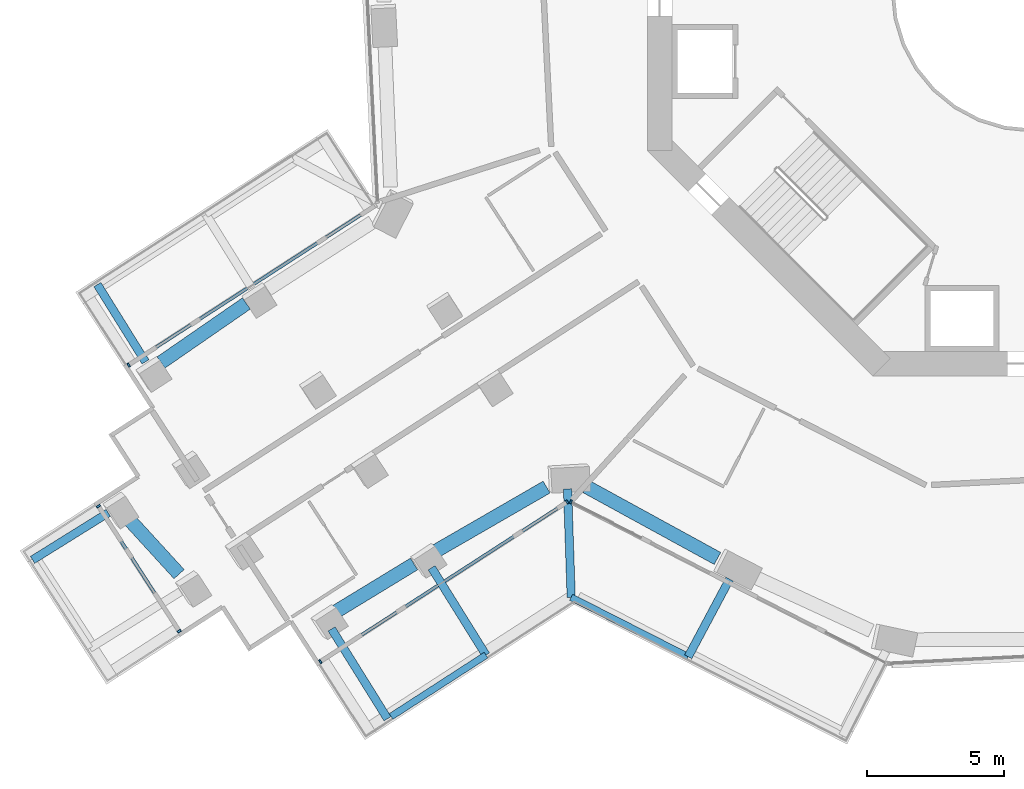
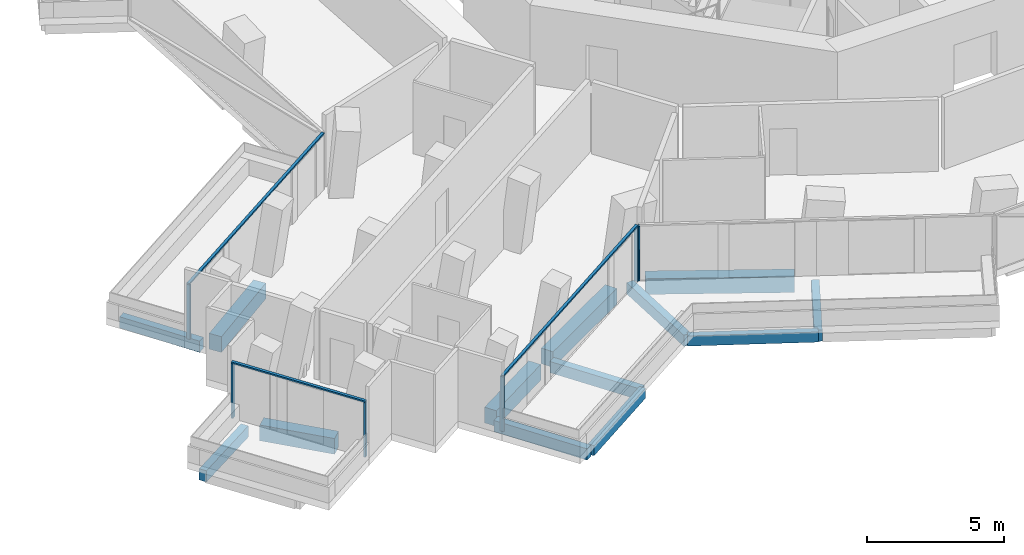
# One storey, part 2 of 25: 13 beams, 9 members, 4 elements without a shape of their own.
"""IFC4 building model written with IfcOpenShell, lengths in metres."""

from ifc_helpers import new_model, si_unit, direction, frame, origin, origin_2d, place, context, subcontext, project, spatial, rectangle, extrude, material, layer, layer_set, material_profile, profile_set, type_object, element, aggregate, save


model = new_model("IFC4")

# Units and contexts
model_context = context("Model", 3, precision=1e-05, world=origin(), true_north=direction((0.0, 1.0)))
body_context = subcontext(model_context, "Body", "Model", "MODEL_VIEW")
ifc_project = project(units=[si_unit("LENGTHUNIT", "METRE"), si_unit("AREAUNIT", "SQUARE_METRE"), si_unit("VOLUMEUNIT", "CUBIC_METRE"), si_unit("PLANEANGLEUNIT", "RADIAN"), si_unit("MASSUNIT", "GRAM", prefix="KILO")], contexts=[model_context])

# Site, building, storey
site_placement = place(None, origin())
site = spatial("IfcSite", under=ifc_project, at=site_placement, CompositionType="ELEMENT")
building_placement = place(site_placement, origin())
building = spatial("IfcBuilding", under=site, at=building_placement, Name="Verdalira Terraces Hotel", CompositionType="ELEMENT")
storey_placement = place(building_placement, frame((0.0, 0.0, 46.0)))
storey = spatial("IfcBuildingStorey", under=building, at=storey_placement, Name="L09", CompositionType="ELEMENT", Elevation=46.0)

# Beams
ifc_material_1 = material(Name="Concrete C40", Category="concrete")
ifc_material_profile_1 = material_profile(ifc_material_1, rectangle(XDim=0.300049, YDim=0.5, at=origin_2d()), Name="RC 300X500")
ifc_profile_set_1 = profile_set([ifc_material_profile_1], Name="Concrete C40")
beam_type_1 = type_object("IfcBeamType", Name="Balcony cantilever beam RC 300X500 C40", PredefinedType="BEAM", material=ifc_profile_set_1)
beam_1_placement = place(storey_placement, frame((-32.261963, -13.483154, -0.560059), z_axis=(-0.528745016, 0.848780718, 0.0), x_axis=(-0.848780718, -0.528745016, 0.0)))
element("IfcBeam", 1, at=beam_1_placement, inside=storey, type_object=beam_type_1, Name="Balcony cantilever beam R14-3", PredefinedType="BEAM", context=body_context, shape_type="SweptSolid", body=[
    extrude(rectangle(XDim=0.300049, YDim=0.5, at=origin_2d()), origin(), (0.0, 0.0, 1.0), 3.309326),
])
beam_2_placement = place(storey_placement, frame((-33.618408, -18.977295, -0.560059), z_axis=(-0.848758599, -0.528780522, 0.0), x_axis=(0.528780522, -0.848758599, 0.0)))
element("IfcBeam", 2, at=beam_2_placement, inside=storey, type_object=beam_type_1, Name="Balcony cantilever beam R19-1", PredefinedType="BEAM", context=body_context, shape_type="SweptSolid", body=[
    extrude(rectangle(XDim=0.300049, YDim=0.5, at=origin_2d()), origin(), (0.0, 0.0, 1.0), 3.243408),
])
beam_3_placement = place(storey_placement, frame((-16.9021, -18.106934, -0.560059), z_axis=(0.033500048, -0.999438716, 0.0), x_axis=(0.999438716, 0.033500048, 0.0)))
element("IfcBeam", 3, at=beam_3_placement, inside=storey, type_object=beam_type_1, Name="Balcony cantilever beam R24-1", PredefinedType="BEAM", context=body_context, shape_type="SweptSolid", body=[
    extrude(rectangle(XDim=0.300049, YDim=0.5, at=origin_2d()), origin(), (0.0, 0.0, 1.0), 3.949951),
])
beam_4_placement = place(storey_placement, frame((-11.004883, -21.393555, -0.560059), z_axis=(-0.470703042, -0.882291701, 0.0), x_axis=(0.882291701, -0.470703042, 0.0)))
element("IfcBeam", 4, at=beam_4_placement, inside=storey, type_object=beam_type_1, Name="Balcony cantilever beam R24-2", PredefinedType="BEAM", context=body_context, shape_type="SweptSolid", body=[
    extrude(rectangle(XDim=0.300049, YDim=0.5, at=origin_2d()), origin(), (0.0, 0.0, 1.0), 3.200684),
])
beam_5_placement = place(storey_placement, frame((-25.489502, -23.204102, -0.560059), z_axis=(0.528687735, -0.848816399, 0.0), x_axis=(0.848816399, 0.528687735, 0.0)))
element("IfcBeam", 5, at=beam_5_placement, inside=storey, type_object=beam_type_1, Name="Balcony cantilever beam R24-4", PredefinedType="BEAM", context=body_context, shape_type="SweptSolid", body=[
    extrude(rectangle(XDim=0.300049, YDim=0.5, at=origin_2d()), origin(), (0.0, 0.0, 1.0), 3.851318),
])
beam_6_placement = place(storey_placement, frame((-21.849854, -20.978027, -0.560059), z_axis=(0.528785357, -0.848755587, 0.0), x_axis=(0.848755587, 0.528785357, 0.0)))
element("IfcBeam", 6, at=beam_6_placement, inside=storey, type_object=beam_type_1, Name="Balcony cantilever beam R24-5", PredefinedType="BEAM", context=body_context, shape_type="SweptSolid", body=[
    extrude(rectangle(XDim=0.300049, YDim=0.5, at=origin_2d()), origin(), (0.0, 0.0, 1.0), 3.744873),
])
ifc_material_2 = material(Name="Concrete C40", Category="concrete")
ifc_material_profile_2 = material_profile(ifc_material_2, rectangle(XDim=0.25, YDim=0.449951, at=origin_2d()), Name="RC 250X450")
ifc_profile_set_2 = profile_set([ifc_material_profile_2], Name="Concrete C40")
beam_type_2 = type_object("IfcBeamType", Name="Balcony edge beam RC 250X450 C40", PredefinedType="BEAM", material=ifc_profile_set_2)
beam_7_placement = place(storey_placement, frame((-16.769775, -22.054688, -0.534912), z_axis=(0.891587713, -0.452848042, 0.0), x_axis=(0.452848042, 0.891587713, 0.0)))
element("IfcBeam", 7, at=beam_7_placement, inside=storey, type_object=beam_type_2, Name="Balcony edge beam R24-1", PredefinedType="BEAM", context=body_context, shape_type="SweptSolid", body=[
    extrude(rectangle(XDim=0.25, YDim=0.449951, at=origin_2d()), origin(), (0.0, 0.0, 1.0), 4.776123),
])
beam_8_placement = place(storey_placement, frame((-23.327393, -26.391602, -0.534912), z_axis=(0.839821428, 0.542862753, 0.0), x_axis=(-0.542862753, 0.839821428, 0.0)))
element("IfcBeam", 8, at=beam_8_placement, inside=storey, type_object=beam_type_2, Name="Balcony edge beam R24-3", PredefinedType="BEAM", context=body_context, shape_type="SweptSolid", body=[
    extrude(rectangle(XDim=0.25, YDim=0.449951, at=origin_2d()), origin(), (0.0, 0.0, 1.0), 4.117188),
])

# Curtain wall, member
ifc_material_3 = material(Name="Clear glass", Category="glass")
ifc_layer_1 = layer(ifc_material_3, 0.14990234375)
ifc_layer_set_1 = layer_set([ifc_layer_1], Name="CW1 curtain wall")
curtain_wall_type_1 = type_object("IfcCurtainWallType", Name="CW1 curtain wall", PredefinedType="NOTDEFINED", material=ifc_layer_set_1)
curtain_wall_1_placement = place(storey_placement, origin())
curtain_wall_1 = element("IfcCurtainWall", 9, at=curtain_wall_1_placement, inside=storey, type_object=curtain_wall_type_1, Name="CW1 curtain wall L09 edge 25", PredefinedType="NOTDEFINED")
ifc_material_4 = material(Name="Terracotta frame", Category="masonry")
ifc_material_profile_3 = material_profile(ifc_material_4, rectangle(XDim=0.060059, YDim=0.149902, at=origin_2d()), Name="MU 60x150")
ifc_profile_set_3 = profile_set([ifc_material_profile_3], Name="Terracotta frame")
member_type_1 = type_object("IfcMemberType", Name="CW1 mullion 60x150", PredefinedType="MULLION", material=ifc_profile_set_3)
member_1_placement = place(storey_placement, frame((-16.782715, -18.575195, 0.0), z_axis=(0.0, 0.0, 1.0), x_axis=(0.890053735, -0.455855622, 0.0)))
member_1 = element("IfcMember", 10, at=member_1_placement, type_object=member_type_1, Name="CW1 mullion", PredefinedType="MULLION", context=body_context, shape_type="SweptSolid", body=[
    extrude(rectangle(XDim=0.060059, YDim=0.149902, at=origin_2d()), origin(), (0.0, 0.0, 1.0), 2.425049),
])
aggregate(curtain_wall_1, [member_1])

ifc_material_5 = material(Name="Clear glass", Category="glass")
ifc_layer_2 = layer(ifc_material_5, 0.14990234375)
ifc_layer_set_2 = layer_set([ifc_layer_2], Name="CW2 curtain wall")
curtain_wall_type_2 = type_object("IfcCurtainWallType", Name="CW2 curtain wall", PredefinedType="NOTDEFINED", material=ifc_layer_set_2)
curtain_wall_2_placement = place(storey_placement, origin())
curtain_wall_2 = element("IfcCurtainWall", 11, at=curtain_wall_2_placement, inside=storey, type_object=curtain_wall_type_2, Name="CW2 curtain wall L09 edge 14", PredefinedType="NOTDEFINED")
ifc_material_6 = material(Name="Terracotta frame", Category="masonry")
ifc_material_profile_4 = material_profile(ifc_material_6, rectangle(XDim=0.070068, YDim=0.149902, at=origin_2d()), Name="MU 70x150")
ifc_profile_set_4 = profile_set([ifc_material_profile_4], Name="Terracotta frame")
member_type_2 = type_object("IfcMemberType", Name="CW2 mullion 70x150", PredefinedType="MULLION", material=ifc_profile_set_4)
member_2_placement = place(storey_placement, frame((-32.875977, -13.601562, 0.0), z_axis=(0.0, 0.0, 1.0), x_axis=(-0.839809417, -0.542881334, 0.0)))
member_2 = element("IfcMember", 12, at=member_2_placement, type_object=member_type_2, Name="CW2 mullion", PredefinedType="MULLION", context=body_context, shape_type="SweptSolid", body=[
    extrude(rectangle(XDim=0.070068, YDim=0.149902, at=origin_2d()), origin(), (0.0, 0.0, 1.0), 2.425049),
])

# Curtain wall, members
curtain_wall_3_placement = place(storey_placement, origin())
curtain_wall_3 = element("IfcCurtainWall", 13, at=curtain_wall_3_placement, inside=storey, type_object=curtain_wall_type_2, Name="CW2 curtain wall L09 edge 24", PredefinedType="NOTDEFINED")
member_3_placement = place(storey_placement, frame((-25.899902, -24.393066, 0.0), z_axis=(0.0, 0.0, 1.0), x_axis=(0.839809417, 0.542881334, 0.0)))
member_3 = element("IfcMember", 14, at=member_3_placement, type_object=member_type_2, Name="CW2 mullion", PredefinedType="MULLION", context=body_context, shape_type="SweptSolid", body=[
    extrude(rectangle(XDim=0.070068, YDim=0.149902, at=origin_2d()), origin(), (0.0, 0.0, 1.0), 2.425049),
])
member_4_placement = place(storey_placement, frame((-16.913818, -18.584229, 0.0), z_axis=(0.0, 0.0, 1.0), x_axis=(0.839809417, 0.542881334, 0.0)))
member_4 = element("IfcMember", 15, at=member_4_placement, type_object=member_type_2, Name="CW2 mullion", PredefinedType="MULLION", context=body_context, shape_type="SweptSolid", body=[
    extrude(rectangle(XDim=0.070068, YDim=0.149902, at=origin_2d()), origin(), (0.0, 0.0, 1.0), 2.425049),
])

# Member
ifc_material_7 = material(Name="Terracotta frame", Category="masonry")
ifc_material_profile_5 = material_profile(ifc_material_7, rectangle(XDim=0.11499, YDim=0.064941, at=origin_2d()), Name="TR 65x115")
ifc_profile_set_5 = profile_set([ifc_material_profile_5], Name="Terracotta frame")
member_type_3 = type_object("IfcMemberType", Name="CW2 transom 65x115", PredefinedType="USERDEFINED", material=ifc_profile_set_5)
member_5_placement = place(storey_placement, frame((-23.860352, -7.773682, 2.45752), z_axis=(-0.839810302, -0.542879965, 0.0), x_axis=(0.542879965, -0.839810302, 0.0)))
member_5 = element("IfcMember", 16, at=member_5_placement, type_object=member_type_3, Name="CW2 transom", ObjectType="TRANSOM", PredefinedType="USERDEFINED", context=body_context, shape_type="SweptSolid", body=[
    extrude(rectangle(XDim=0.11499, YDim=0.064941, at=origin_2d()), origin(), (0.0, 0.0, 1.0), 10.770264),
])

aggregate(curtain_wall_2, [member_2, member_5])

member_6_placement = place(storey_placement, frame((-25.929199, -24.412109, 2.45752), z_axis=(0.839810302, 0.542879965, 0.0), x_axis=(-0.542879965, 0.839810302, 0.0)))
member_6 = element("IfcMember", 17, at=member_6_placement, type_object=member_type_3, Name="CW2 transom", ObjectType="TRANSOM", PredefinedType="USERDEFINED", context=body_context, shape_type="SweptSolid", body=[
    extrude(rectangle(XDim=0.11499, YDim=0.064941, at=origin_2d()), origin(), (0.0, 0.0, 1.0), 10.770264),
])

aggregate(curtain_wall_3, [member_3, member_4, member_6])

# Curtain wall, members
ifc_material_8 = material(Name="Clear glass", Category="glass")
ifc_layer_3 = layer(ifc_material_8, 0.14990234375)
ifc_layer_set_3 = layer_set([ifc_layer_3], Name="CW3 curtain wall")
curtain_wall_type_3 = type_object("IfcCurtainWallType", Name="CW3 curtain wall", PredefinedType="NOTDEFINED", material=ifc_layer_set_3)
curtain_wall_4_placement = place(storey_placement, origin())
curtain_wall_4 = element("IfcCurtainWall", 18, at=curtain_wall_4_placement, inside=storey, type_object=curtain_wall_type_3, Name="CW3 curtain wall L09 edge 19", PredefinedType="NOTDEFINED")
ifc_material_9 = material(Name="Terracotta frame", Category="masonry")
ifc_material_profile_6 = material_profile(ifc_material_9, rectangle(XDim=0.080078, YDim=0.149902, at=origin_2d()), Name="MU 80x150")
ifc_profile_set_6 = profile_set([ifc_material_profile_6], Name="Terracotta frame")
member_type_4 = type_object("IfcMemberType", Name="CW3 mullion 80x150", PredefinedType="MULLION", material=ifc_profile_set_6)
member_7_placement = place(storey_placement, frame((-33.974854, -18.735596, 0.0), z_axis=(0.0, 0.0, 1.0), x_axis=(0.542881334, -0.839809417, 0.0)))
member_7 = element("IfcMember", 19, at=member_7_placement, type_object=member_type_4, Name="CW3 mullion", PredefinedType="MULLION", context=body_context, shape_type="SweptSolid", body=[
    extrude(rectangle(XDim=0.080078, YDim=0.149902, at=origin_2d()), origin(), (0.0, 0.0, 1.0), 2.425049),
])
member_8_placement = place(storey_placement, frame((-31.032471, -23.287354, 0.0), z_axis=(0.0, 0.0, 1.0), x_axis=(0.542881334, -0.839809417, 0.0)))
member_8 = element("IfcMember", 20, at=member_8_placement, type_object=member_type_4, Name="CW3 mullion", PredefinedType="MULLION", context=body_context, shape_type="SweptSolid", body=[
    extrude(rectangle(XDim=0.080078, YDim=0.149902, at=origin_2d()), origin(), (0.0, 0.0, 1.0), 2.425049),
])
ifc_material_10 = material(Name="Terracotta frame", Category="masonry")
ifc_material_profile_7 = material_profile(ifc_material_10, rectangle(XDim=0.120117, YDim=0.064941, at=origin_2d()), Name="TR 65x120")
ifc_profile_set_7 = profile_set([ifc_material_profile_7], Name="Terracotta frame")
member_type_5 = type_object("IfcMemberType", Name="CW3 transom 65x120", PredefinedType="USERDEFINED", material=ifc_profile_set_7)
member_9_placement = place(storey_placement, frame((-33.996582, -18.701904, 2.45752), z_axis=(0.542884958, -0.839807074, 0.0), x_axis=(0.839807074, 0.542884958, 0.0)))
member_9 = element("IfcMember", 21, at=member_9_placement, type_object=member_type_5, Name="CW3 transom", ObjectType="TRANSOM", PredefinedType="USERDEFINED", context=body_context, shape_type="SweptSolid", body=[
    extrude(rectangle(XDim=0.120117, YDim=0.064941, at=origin_2d()), origin(), (0.0, 0.0, 1.0), 5.5),
])
aggregate(curtain_wall_4, [member_7, member_8, member_9])

# Beams
ifc_material_11 = material(Name="Concrete C70", Category="concrete")
ifc_material_profile_8 = material_profile(ifc_material_11, rectangle(XDim=0.5, YDim=0.699951, at=origin_2d()), Name="RC 500X700")
ifc_profile_set_8 = profile_set([ifc_material_profile_8], Name="Concrete C70")
beam_type_3 = type_object("IfcBeamType", Name="Spandrel beam RC 500X700 C70", PredefinedType="SPANDREL", material=ifc_profile_set_8)
beam_9_placement = place(storey_placement, frame((-28.590576, -11.361816, -0.659912), z_axis=(-0.822717698, -0.568450165, 0.0), x_axis=(0.568450165, -0.822717698, 0.0)))
element("IfcBeam", 22, at=beam_9_placement, inside=storey, type_object=beam_type_3, Name="Spandrel beam B15", PredefinedType="SPANDREL", context=body_context, shape_type="SweptSolid", body=[
    extrude(rectangle(XDim=0.5, YDim=0.699951, at=origin_2d()), origin(), (0.0, 0.0, 1.0), 3.777344),
])
beam_10_placement = place(storey_placement, frame((-32.972412, -19.09668, -0.659912), z_axis=(0.674964114, -0.737850557, 0.0), x_axis=(0.737850557, 0.674964114, 0.0)))
element("IfcBeam", 23, at=beam_10_placement, inside=storey, type_object=beam_type_3, Name="Spandrel beam B16", PredefinedType="SPANDREL", context=body_context, shape_type="SweptSolid", body=[
    extrude(rectangle(XDim=0.5, YDim=0.699951, at=origin_2d()), origin(), (0.0, 0.0, 1.0), 2.86499),
])
beam_11_placement = place(storey_placement, frame((-25.361816, -22.591797, -0.659912), z_axis=(0.853951879, 0.520351986, 0.0), x_axis=(-0.520351986, 0.853951879, 0.0)))
element("IfcBeam", 24, at=beam_11_placement, inside=storey, type_object=beam_type_3, Name="Spandrel beam B17", PredefinedType="SPANDREL", context=body_context, shape_type="SweptSolid", body=[
    extrude(rectangle(XDim=0.5, YDim=0.699951, at=origin_2d()), origin(), (0.0, 0.0, 1.0), 3.36499),
])
beam_12_placement = place(storey_placement, frame((-21.699707, -20.373047, -0.659912), z_axis=(0.866022406, 0.500005192, 0.0), x_axis=(-0.500005192, 0.866022406, 0.0)))
element("IfcBeam", 25, at=beam_12_placement, inside=storey, type_object=beam_type_3, Name="Spandrel beam B18", PredefinedType="SPANDREL", context=body_context, shape_type="SweptSolid", body=[
    extrude(rectangle(XDim=0.5, YDim=0.699951, at=origin_2d()), origin(), (0.0, 0.0, 1.0), 4.65918),
])
beam_13_placement = place(storey_placement, frame((-16.217285, -18.028076, -0.659912), z_axis=(0.8771827, -0.480156757, 0.0), x_axis=(0.480156757, 0.8771827, 0.0)))
element("IfcBeam", 26, at=beam_13_placement, inside=storey, type_object=beam_type_3, Name="Spandrel beam B19", PredefinedType="SPANDREL", context=body_context, shape_type="SweptSolid", body=[
    extrude(rectangle(XDim=0.5, YDim=0.699951, at=origin_2d()), origin(), (0.0, 0.0, 1.0), 5.438965),
])

save(model, "model.ifc")
